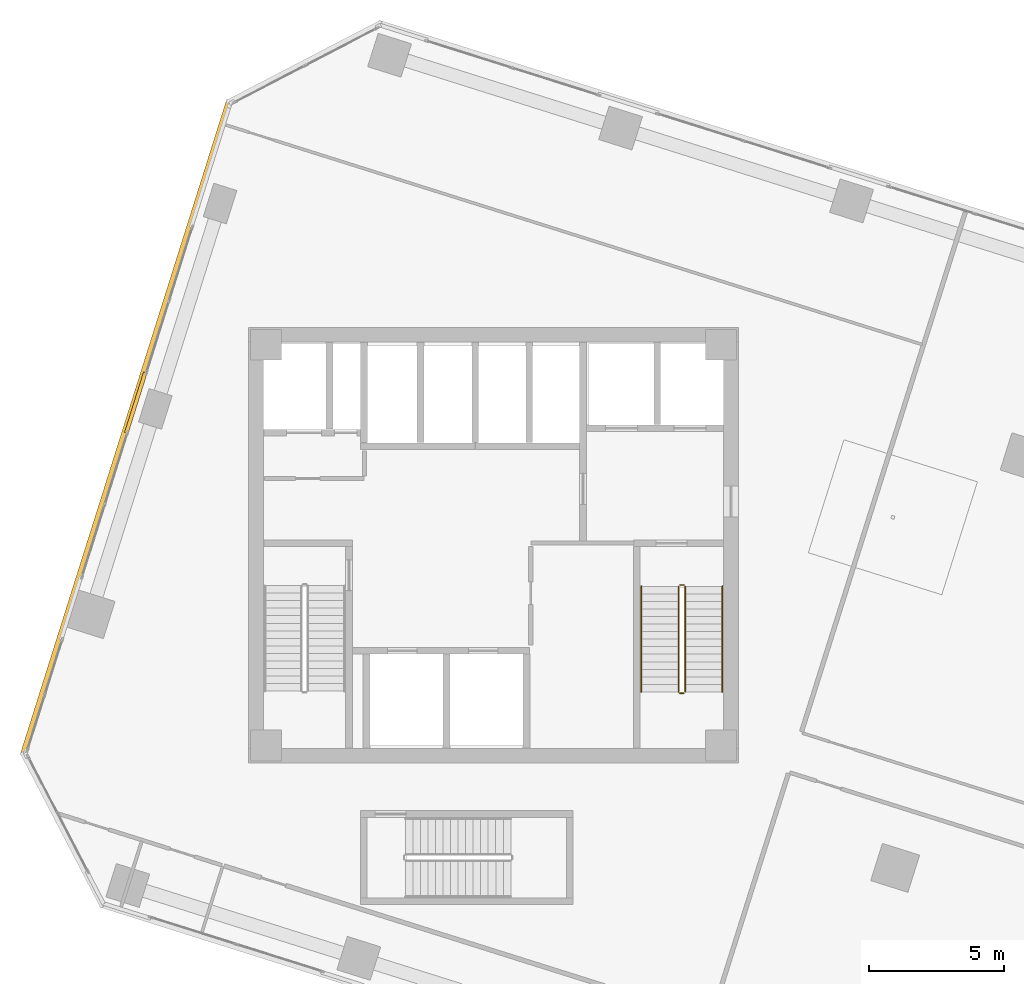
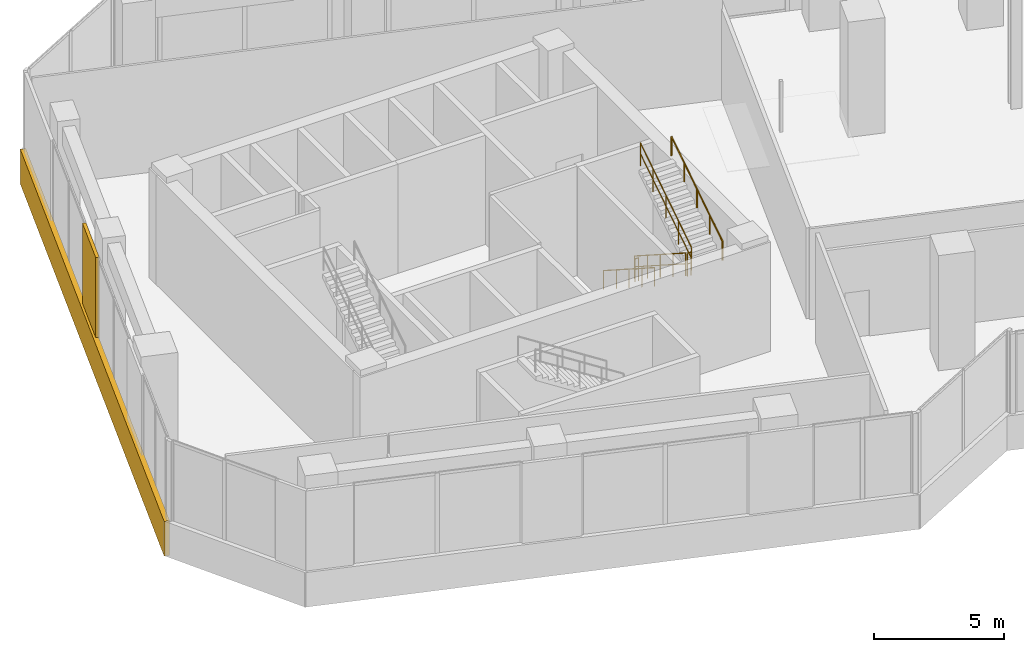
# One storey, part 25 of 28: 6 railings, 2 coverings.
"""IFC4 building model written with IfcOpenShell, lengths in metres."""

from ifc_helpers import new_model, si_unit, direction, frame, origin, origin_2d, place, context, subcontext, project, spatial, rectangle, circle, extrude, source, transform, mapped, material, layer, layer_set, type_object, element, save


model = new_model("IFC4")

# Units and contexts
model_context = context("Model", 3, precision=1e-05, world=origin(), true_north=direction((0.0, 1.0)))
body_context = subcontext(model_context, "Body", "Model", "MODEL_VIEW")
ifc_project = project(units=[si_unit("LENGTHUNIT", "METRE"), si_unit("AREAUNIT", "SQUARE_METRE"), si_unit("VOLUMEUNIT", "CUBIC_METRE"), si_unit("PLANEANGLEUNIT", "RADIAN"), si_unit("MASSUNIT", "GRAM", prefix="KILO")], contexts=[model_context])

# Site, building, storey
site_placement = place(None, origin())
site = spatial("IfcSite", under=ifc_project, at=site_placement, CompositionType="ELEMENT")
building_placement = place(site_placement, origin())
building = spatial("IfcBuilding", under=site, at=building_placement, Name="Torre Montelarca", CompositionType="ELEMENT")
storey_placement = place(building_placement, frame((0.0, 0.0, 116.800048828125)))
storey = spatial("IfcBuildingStorey", under=building, at=storey_placement, Name="L26", CompositionType="ELEMENT", Elevation=116.800048828125)

# Railings
ifc_material_1 = material(Name="Powder-coated steel ASTM A500 Grade C", Category="steel")
railing_type_1 = type_object("IfcRailingType", Name="RL-GUARD-1100", PredefinedType="BALUSTRADE", material=ifc_material_1)
railing_1_placement = place(storey_placement, frame((24.8701171875, 30.469970703125, 0.179931640625)))
element("IfcRailing", 1, at=railing_1_placement, inside=storey, type_object=railing_type_1, Name="L26 ST2 stair guard 1", PredefinedType="BALUSTRADE", context=body_context, shape_type="SweptSolid", body=[
    extrude(circle(Radius=0.02392578125, at=origin_2d()), frame((0.0, 0.0, 1.076171875), z_axis=(0.0, -0.841171666519, 0.540768182723), x_axis=(1.0, 0.0, 0.0)), (0.0, 0.0, 1.0), 4.66015625),
    extrude(circle(Radius=0.02099609375, at=origin_2d()), frame((0.0, 0.0, 0.572021484375), z_axis=(0.0, -0.841171666519, 0.540768182723), x_axis=(1.0, 0.0, 0.0)), (0.0, 0.0, 1.0), 4.66015625),
    extrude(circle(Radius=0.02099609375, at=origin_2d()), origin(), (0.0, 0.0, 1.0), 1.052001953125),
    extrude(circle(Radius=0.02099609375, at=origin_2d()), frame((0.0, -0.97998046875, 0.6298828125)), (0.0, 0.0, 1.0), 1.052001953125),
    extrude(circle(Radius=0.02099609375, at=origin_2d()), frame((0.0, -1.9599609375, 1.260009765625)), (0.0, 0.0, 1.0), 1.052001953125),
    extrude(circle(Radius=0.02099609375, at=origin_2d()), frame((0.0, -2.93994140625, 1.89013671875)), (0.0, 0.0, 1.0), 1.052001953125),
    extrude(circle(Radius=0.02099609375, at=origin_2d()), frame((0.0, -3.919921875, 2.52001953125)), (0.0, 0.0, 1.0), 1.052001953125),
])
railing_2_placement = place(storey_placement, frame((24.919921875, 26.5, 2.699951171875)))
element("IfcRailing", 2, at=railing_2_placement, inside=storey, type_object=railing_type_1, Name="L26 ST2 stair guard 2", PredefinedType="BALUSTRADE", context=body_context, shape_type="SweptSolid", body=[
    extrude(circle(Radius=0.02392578125, at=origin_2d()), frame((0.0, 0.0, 1.076171875), z_axis=(1.0, 0.0, 0.0), x_axis=(0.0, 1.0, 0.0)), (0.0, 0.0, 1.0), 0.150146484375),
    extrude(circle(Radius=0.02099609375, at=origin_2d()), frame((0.0, 0.0, 0.572021484375), z_axis=(1.0, 0.0, 0.0), x_axis=(0.0, 1.0, 0.0)), (0.0, 0.0, 1.0), 0.150146484375),
    extrude(circle(Radius=0.02099609375, at=origin_2d()), origin(), (0.0, 0.0, 1.0), 1.052001953125),
    extrude(circle(Radius=0.02099609375, at=origin_2d()), frame((0.150146484375, 0.0, 0.0)), (0.0, 0.0, 1.0), 1.052001953125),
])
railing_3_placement = place(storey_placement, frame((25.1201171875, 26.550048828125, 2.8798828125)))
element("IfcRailing", 3, at=railing_3_placement, inside=storey, type_object=railing_type_1, Name="L26 ST2 stair guard 3", PredefinedType="BALUSTRADE", context=body_context, shape_type="SweptSolid", body=[
    extrude(circle(Radius=0.02392578125, at=origin_2d()), frame((0.0, 0.0, 1.076171875), z_axis=(0.0, 0.841171666519, 0.540768182723), x_axis=(-1.0, 0.0, 0.0)), (0.0, 0.0, 1.0), 4.66015625),
    extrude(circle(Radius=0.02099609375, at=origin_2d()), frame((0.0, 0.0, 0.572021484375), z_axis=(0.0, 0.841171666519, 0.540768182723), x_axis=(-1.0, 0.0, 0.0)), (0.0, 0.0, 1.0), 4.66015625),
    extrude(circle(Radius=0.02099609375, at=origin_2d()), origin(), (0.0, 0.0, 1.0), 1.052001953125),
    extrude(circle(Radius=0.02099609375, at=origin_2d()), frame((0.0, 0.97998046875, 0.6298828125)), (0.0, 0.0, 1.0), 1.052001953125),
    extrude(circle(Radius=0.02099609375, at=origin_2d()), frame((0.0, 1.9599609375, 1.260009765625)), (0.0, 0.0, 1.0), 1.052001953125),
    extrude(circle(Radius=0.02099609375, at=origin_2d()), frame((0.0, 2.93994140625, 1.89013671875)), (0.0, 0.0, 1.0), 1.052001953125),
    extrude(circle(Radius=0.02099609375, at=origin_2d()), frame((0.0, 3.919921875, 2.52001953125)), (0.0, 0.0, 1.0), 1.052001953125),
])
railing_4_placement = place(storey_placement, frame((24.919921875, 30.52001953125, 0.0)))
element("IfcRailing", 4, at=railing_4_placement, inside=storey, type_object=railing_type_1, Name="L26 ST2 stair guard 4", PredefinedType="BALUSTRADE", context=body_context, shape_type="SweptSolid", body=[
    extrude(circle(Radius=0.02392578125, at=origin_2d()), frame((0.0, 0.0, 1.076171875), z_axis=(1.0, 0.0, 0.0), x_axis=(0.0, 1.0, 0.0)), (0.0, 0.0, 1.0), 0.150146484375),
    extrude(circle(Radius=0.02099609375, at=origin_2d()), frame((0.0, 0.0, 0.572021484375), z_axis=(1.0, 0.0, 0.0), x_axis=(0.0, 1.0, 0.0)), (0.0, 0.0, 1.0), 0.150146484375),
    extrude(circle(Radius=0.02099609375, at=origin_2d()), origin(), (0.0, 0.0, 1.0), 1.052001953125),
    extrude(circle(Radius=0.02099609375, at=origin_2d()), frame((0.150146484375, 0.0, 0.0)), (0.0, 0.0, 1.0), 1.052001953125),
])
ifc_material_2 = material(Name="Brushed stainless steel AISI 316", Category="steel")
railing_type_2 = type_object("IfcRailingType", Name="RL-HANDRAIL-900", PredefinedType="HANDRAIL", material=ifc_material_2)
railing_5_placement = place(storey_placement, frame((23.489990234375, 30.469970703125, 0.179931640625)))
element("IfcRailing", 5, at=railing_5_placement, inside=storey, type_object=railing_type_2, Name="L26 ST2 stair handrail 1", PredefinedType="HANDRAIL", context=body_context, shape_type="SweptSolid", body=[
    extrude(circle(Radius=0.02392578125, at=origin_2d()), frame((0.0, 0.0, 0.8759765625), z_axis=(0.0, -0.841171666519, 0.540768182723), x_axis=(1.0, 0.0, 0.0)), (0.0, 0.0, 1.0), 4.66015625),
    extrude(circle(Radius=0.02099609375, at=origin_2d()), origin(), (0.0, 0.0, 1.0), 0.851806640625),
    extrude(circle(Radius=0.02099609375, at=origin_2d()), frame((0.0, -0.97998046875, 0.6298828125)), (0.0, 0.0, 1.0), 0.851806640625),
    extrude(circle(Radius=0.02099609375, at=origin_2d()), frame((0.0, -1.9599609375, 1.260009765625)), (0.0, 0.0, 1.0), 0.851806640625),
    extrude(circle(Radius=0.02099609375, at=origin_2d()), frame((0.0, -2.93994140625, 1.89013671875)), (0.0, 0.0, 1.0), 0.851806640625),
    extrude(circle(Radius=0.02099609375, at=origin_2d()), frame((0.0, -3.919921875, 2.52001953125)), (0.0, 0.0, 1.0), 0.851806640625),
])
railing_6_placement = place(storey_placement, frame((26.5, 26.550048828125, 2.8798828125)))
element("IfcRailing", 6, at=railing_6_placement, inside=storey, type_object=railing_type_2, Name="L26 ST2 stair handrail 2", PredefinedType="HANDRAIL", context=body_context, shape_type="SweptSolid", body=[
    extrude(circle(Radius=0.02392578125, at=origin_2d()), frame((0.0, 0.0, 0.8759765625), z_axis=(0.0, 0.841171666519, 0.540768182723), x_axis=(-1.0, 0.0, 0.0)), (0.0, 0.0, 1.0), 4.66015625),
    extrude(circle(Radius=0.02099609375, at=origin_2d()), origin(), (0.0, 0.0, 1.0), 0.851806640625),
    extrude(circle(Radius=0.02099609375, at=origin_2d()), frame((0.0, 0.97998046875, 0.6298828125)), (0.0, 0.0, 1.0), 0.851806640625),
    extrude(circle(Radius=0.02099609375, at=origin_2d()), frame((0.0, 1.9599609375, 1.260009765625)), (0.0, 0.0, 1.0), 0.851806640625),
    extrude(circle(Radius=0.02099609375, at=origin_2d()), frame((0.0, 2.93994140625, 1.89013671875)), (0.0, 0.0, 1.0), 0.851806640625),
    extrude(circle(Radius=0.02099609375, at=origin_2d()), frame((0.0, 3.919921875, 2.52001953125)), (0.0, 0.0, 1.0), 0.851806640625),
])

# Coverings
ifc_material_3 = material(Name="Bush-hammered warm white precast concrete C45/55", Category="concrete")
ifc_layer = layer(ifc_material_3, 0.139892578125, Name="Bush-hammered warm white precast concrete C45/55", Category="concrete")
ifc_layer_set = layer_set([ifc_layer], Name="Bush-hammered warm white precast concrete C45/55")
covering_type = type_object("IfcCoveringType", Name="COV-TRAY-CLAD", PredefinedType="CLADDING", material=ifc_layer_set)
shared_shape_1 = source(origin(), body_context, "Body", "SweptSolid", [
    extrude(rectangle(XDim=25.52001953125, YDim=0.219970703125, at=origin_2d()), origin(), (0.0, 0.0, 1.0), 1.6201171875),
])
covering_1_placement = place(storey_placement, frame((4.34716796875, 36.35986328125, -0.4501953125), z_axis=(0.0, 0.0, 1.0), x_axis=(-0.300709128603, -0.953715901081, 0.0)))
element("IfcCovering", 7, at=covering_1_placement, inside=storey, type_object=covering_type, Name="L26 Architectural White Spandrel Tray Band TRYBOT-10", PredefinedType="CLADDING", context=body_context, shape_type="MappedRepresentation", body=[
    mapped(shared_shape_1, transform((0.0, 0.0, 0.0), scale=1.0)),
])
shared_shape_2 = source(origin(), body_context, "Body", "SweptSolid", [
    extrude(rectangle(XDim=2.360107421875, YDim=0.139892578125, at=origin_2d()), origin(), (0.0, 0.0, 1.0), 4.919921875),
])
covering_2_placement = place(storey_placement, frame((4.705078125, 37.29541015625, 0.0), z_axis=(0.0, 0.0, 1.0), x_axis=(-0.300707464054, -0.953716425916, 0.0)))
element("IfcCovering", 8, at=covering_2_placement, inside=storey, type_object=covering_type, Name="L26 Architectural Column Pier Cladding E10-3", PredefinedType="CLADDING", context=body_context, shape_type="MappedRepresentation", body=[
    mapped(shared_shape_2, transform((0.0, 0.0, 0.0), scale=1.0)),
])

save(model, "model.ifc")
